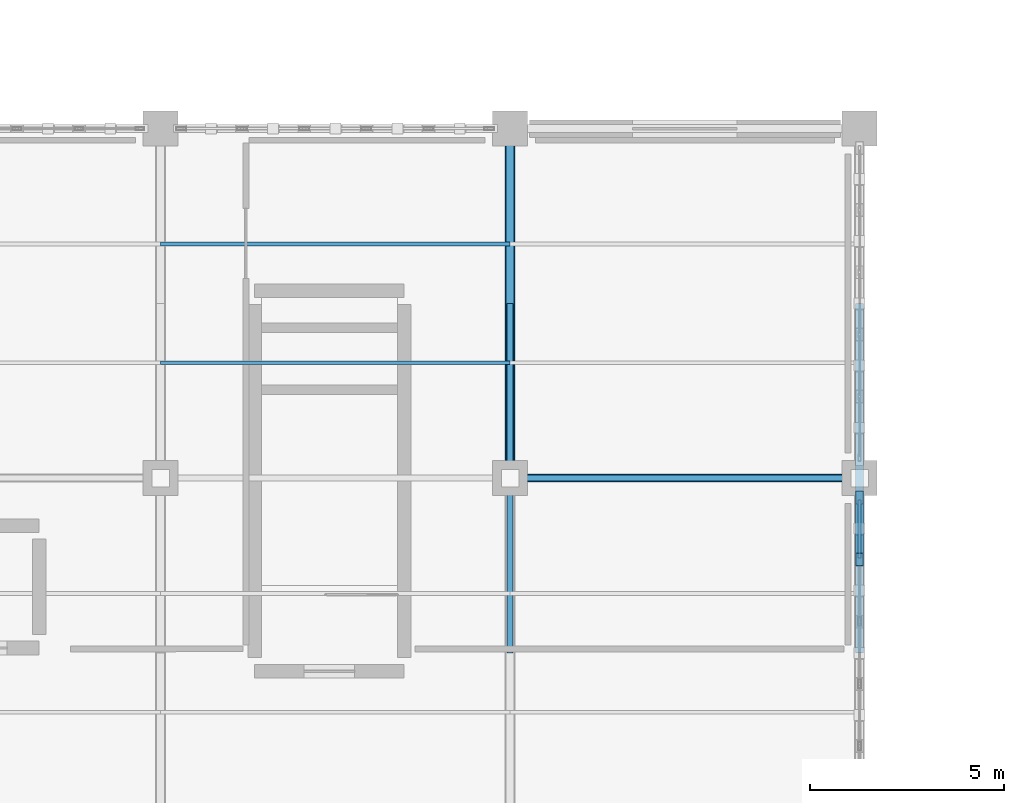
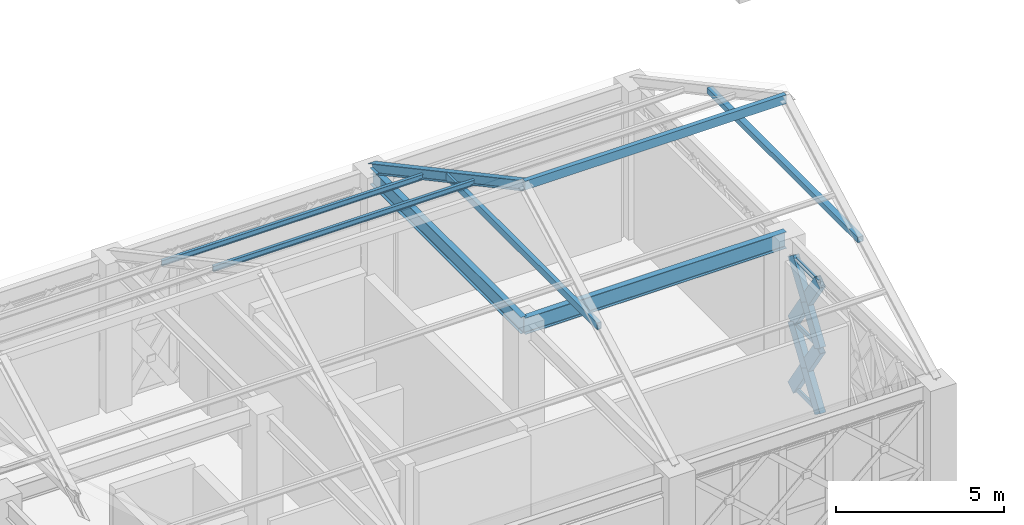
# One storey, part 65 of 166: 15 members, 2 beams, 1 element without a shape of its own.
"""IFC4 building model written with IfcOpenShell, lengths in metres."""

import ifcopenshell
import ifcopenshell.guid

model = None  # the IFC model being written
_history = None  # IfcOwnerHistory: only IFC2X3 demands one
_inside = {}  # id of a spatial element -> (the spatial element, [elements in it])
_under = {}  # id of a project, library or spatial element -> (it, [spatial elements below it])
_declared = {}  # id of a project -> (the project, [libraries it declares])
_typed = {}  # id of a type object -> (the type object, [elements of that type])
_made_of = {}  # id of a material, layer set ... -> (it, [elements and type objects made of it])


def new_model(schema):
    """Start an empty IFC model of exactly this schema.

    Asked for "IFC4X3", IfcOpenShell would pick the latest addendum, in which some entities
    have other attributes; the version numbers below select the first issue.
    IFC2X3 requires an IfcOwnerHistory on every rooted entity: one is made here for all.
    """
    global model, _history
    if schema == "IFC4X3":
        model = ifcopenshell.file(schema_version=(4, 3, 0, 0))
    else:
        model = ifcopenshell.file(schema=schema)
    _inside.clear()
    _under.clear()
    _declared.clear()
    _typed.clear()
    _made_of.clear()
    _history = None
    if model.schema == "IFC2X3":
        org = make("IfcOrganization", Name="unknown")
        user = make(
            "IfcPersonAndOrganization",
            ThePerson=make("IfcPerson", FamilyName="unknown"),
            TheOrganization=org,
        )
        app = make(
            "IfcApplication",
            ApplicationDeveloper=org,
            Version="unknown",
            ApplicationFullName="unknown",
            ApplicationIdentifier="unknown",
        )
        _history = make(
            "IfcOwnerHistory",
            OwningUser=user,
            OwningApplication=app,
            ChangeAction="ADDED",
            CreationDate=0,
        )
    return model


def make(cls, **values):
    """One entity of the class cls with the attributes given. An attribute that is None is left unset."""
    return model.create_entity(
        cls, **{name: value for name, value in values.items() if value is not None}
    )


def rooted(cls, **values):
    """An entity with a GlobalId (a new one), such as an element, a storey or a relation."""
    return make(cls, GlobalId=ifcopenshell.guid.new(), OwnerHistory=_history, **values)


def si_unit(unit_type, name, prefix=None):
    """IfcSIUnit, for example si_unit("LENGTHUNIT", "METRE", prefix="MILLI")."""
    return make("IfcSIUnit", UnitType=unit_type, Prefix=prefix, Name=name)


def assignment(units):
    """IfcUnitAssignment: the units of a project."""
    return None if units is None else make("IfcUnitAssignment", Units=units)


def point(xyz):
    """IfcCartesianPoint."""
    return None if xyz is None else make("IfcCartesianPoint", Coordinates=xyz)


def direction(xyz):
    """IfcDirection."""
    return None if xyz is None else make("IfcDirection", DirectionRatios=xyz)


def frame(location, z_axis=None, x_axis=None):
    """IfcAxis2Placement3D, a coordinate frame: its origin and axes. An axis left out is left unset."""
    return make(
        "IfcAxis2Placement3D",
        Location=point(location),
        Axis=direction(z_axis),
        RefDirection=direction(x_axis),
    )


def frame_2d(location, x_axis=None):
    """IfcAxis2Placement2D, a coordinate frame in the plane: its origin and x axis."""
    return make(
        "IfcAxis2Placement2D", Location=point(location), RefDirection=direction(x_axis)
    )


def origin():
    """The frame at (0, 0, 0) with its axes left unset."""
    return frame((0.0, 0.0, 0.0))


def origin_2d():
    """The frame at (0, 0) in the plane with its x axis left unset."""
    return frame_2d((0.0, 0.0))


def place(relative_to, where):
    """IfcLocalPlacement: puts the frame where relative to a parent placement (None: the world)."""
    return make(
        "IfcLocalPlacement", PlacementRelTo=relative_to, RelativePlacement=where
    )


def context(
    kind, dimensions, precision=None, world=None, true_north=None, identifier=None
):
    """IfcGeometricRepresentationContext, for example the 3D "Model" context."""
    return make(
        "IfcGeometricRepresentationContext",
        ContextIdentifier=identifier,
        ContextType=kind,
        CoordinateSpaceDimension=dimensions,
        Precision=precision,
        WorldCoordinateSystem=world,
        TrueNorth=true_north,
    )


def subcontext(parent, identifier, kind, view, scale=None):
    """IfcGeometricRepresentationSubContext, for example "Body" below "Model"."""
    return make(
        "IfcGeometricRepresentationSubContext",
        ContextIdentifier=identifier,
        ContextType=kind,
        ParentContext=parent,
        TargetScale=scale,
        TargetView=view,
    )


def project(units=None, contexts=None):
    """IfcProject with its units and contexts."""
    return rooted(
        "IfcProject",
        Name="project",
        RepresentationContexts=contexts,
        UnitsInContext=assignment(units),
    )


def spatial(cls, under=None, at=None, **own):
    """A site, building, storey or space (cls), placed at a placement, below another one or the project."""
    s = rooted(cls, ObjectPlacement=at, **own)
    if under is not None:
        _under.setdefault(under.id(), (under, []))[1].append(s)
    return s


def profile(cls, at=None, kind="AREA", **sizes):
    """A parametric profile (cls). Its sizes go by their IFC names, for example OverallWidth=200.0."""
    return make(cls, ProfileType=kind, Position=at, **sizes)


def hollow_rectangle(**sizes):
    """IfcRectangleHollowProfileDef."""
    return profile("IfcRectangleHollowProfileDef", **sizes)


def i_section(**sizes):
    """IfcIShapeProfileDef."""
    return profile("IfcIShapeProfileDef", **sizes)


def extrude(swept, where, along, depth):
    """IfcExtrudedAreaSolid: the profile swept, set in the frame where, extruded along a direction by depth."""
    return make(
        "IfcExtrudedAreaSolid",
        SweptArea=swept,
        Position=where,
        ExtrudedDirection=direction(along),
        Depth=depth,
    )


def shape(context_of_items, identifier, shape_type, items):
    """IfcShapeRepresentation: the items that make up one representation, for example the "Body"."""
    return make(
        "IfcShapeRepresentation",
        ContextOfItems=context_of_items,
        RepresentationIdentifier=identifier,
        RepresentationType=shape_type,
        Items=items,
    )


def material(Name=None, Category=None):
    """IfcMaterial."""
    return make("IfcMaterial", Name=Name, Category=Category)


def material_profile(
    of_material, cross_section, Name=None, Category=None, Priority=None
):
    """IfcMaterialProfile: a cross section and its material."""
    return make(
        "IfcMaterialProfile",
        Name=Name,
        Material=of_material,
        Profile=cross_section,
        Priority=Priority,
        Category=Category,
    )


def profile_set(profiles, Name=None, composite=None):
    """IfcMaterialProfileSet."""
    return make(
        "IfcMaterialProfileSet",
        Name=Name,
        MaterialProfiles=profiles,
        CompositeProfile=composite,
    )


def made_of(thing, what):
    """Note that an element or type object is made of a material, layer set ...; save() writes the relation."""
    if what is not None:
        _made_of.setdefault(what.id(), (what, []))[1].append(thing)
    return thing


def type_object(cls, material=None, **own):
    """A type object (cls), such as IfcWallType, which elements share."""
    return made_of(rooted(cls, **own), material)


def element(
    cls,
    number,
    at=None,
    inside=None,
    cuts=None,
    type_object=None,
    material=None,
    context=None,
    identifier="Body",
    shape_type=None,
    held_by="IfcProductDefinitionShape",
    body=None,
    shapes=None,
    **own,
):
    """One element of the class cls, such as IfcWall. Its Tag is "e" and its number.

    at: its placement. inside: the storey or other place that contains it. cuts: it is an
    opening in that element (IfcRelVoidsElement). A single representation is given by context,
    identifier, shape_type and body (its items); several are given by shapes. held_by: the class
    of the entity that holds the representations. save() writes the other relations.
    """
    e = rooted(cls, Tag="e%d" % number, ObjectPlacement=at, **own)
    if body is not None:
        shapes = [shape(context, identifier, shape_type, body)]
    if shapes is not None:
        e.Representation = make(held_by, Representations=shapes)
    if inside is not None:
        _inside.setdefault(inside.id(), (inside, []))[1].append(e)
    if cuts is not None:
        rooted(
            "IfcRelVoidsElement", RelatingBuildingElement=cuts, RelatedOpeningElement=e
        )
    if type_object is not None:
        _typed.setdefault(type_object.id(), (type_object, []))[1].append(e)
    return made_of(e, material)


def aggregate(whole, parts):
    """IfcRelAggregates: a whole, such as a stair, and the parts it consists of."""
    return rooted("IfcRelAggregates", RelatingObject=whole, RelatedObjects=parts)


def save(model, path):
    """Write the relations noted so far, then the file.

    IfcRelAggregates (storeys below a building ...), IfcRelContainedInSpatialStructure (elements
    in a storey), IfcRelDefinesByType, IfcRelAssociatesMaterial and IfcRelDeclares: one each for
    every whole, place, type object, material and project.
    """
    for whole, parts in _under.values():
        aggregate(whole, parts)
    for where, things in _inside.values():
        rooted(
            "IfcRelContainedInSpatialStructure",
            RelatedElements=things,
            RelatingStructure=where,
        )
    for kind, things in _typed.values():
        rooted("IfcRelDefinesByType", RelatedObjects=things, RelatingType=kind)
    for what, things in _made_of.values():
        rooted("IfcRelAssociatesMaterial", RelatedObjects=things, RelatingMaterial=what)
    for by, libraries in _declared.values():
        rooted("IfcRelDeclares", RelatingContext=by, RelatedDefinitions=libraries)
    model.write(path)


model = new_model("IFC4")

# Units and contexts
model_context = context("Model", 3, precision=1e-05, world=origin(), true_north=direction((0.0, 1.0)))
body_context = subcontext(model_context, "Body", "Model", "MODEL_VIEW")
ifc_project = project(units=[si_unit("LENGTHUNIT", "METRE"), si_unit("AREAUNIT", "SQUARE_METRE"), si_unit("VOLUMEUNIT", "CUBIC_METRE"), si_unit("PLANEANGLEUNIT", "RADIAN"), si_unit("MASSUNIT", "GRAM", prefix="KILO")], contexts=[model_context])

# Site, building, storey
site_placement = place(None, origin())
site = spatial("IfcSite", under=ifc_project, at=site_placement, CompositionType="ELEMENT")
building_placement = place(site_placement, origin())
building = spatial("IfcBuilding", under=site, at=building_placement, Name="Haizhuo Lancet Aquarium", CompositionType="ELEMENT")
storey_placement = place(building_placement, frame((0.0, 0.0, 5.39990234375)))
storey = spatial("IfcBuildingStorey", under=building, at=storey_placement, Name="L01", CompositionType="ELEMENT", Elevation=5.39990234375)

# Beams
ifc_material_1 = material(Name="Steel S355", Category="steel")
ifc_material_profile_1 = material_profile(ifc_material_1, i_section(OverallWidth=0.199951171875, OverallDepth=0.60009765625, WebThickness=0.010986328125, FlangeThickness=0.01708984375, FilletRadius=0.02197265625, at=origin_2d()), Name="HN 600x200x11x17")
ifc_profile_set_1 = profile_set([ifc_material_profile_1], Name="Steel S355")
beam_type = type_object("IfcBeamType", Name="BM-ST-HN600", PredefinedType="BEAM", material=ifc_profile_set_1)
for number, where, z_axis, x_axis, name in (
    (1, (-45.0, 18.0, 5.10009765625), (0.0, 1.0, 0.0), (-1.0, 0.0, 0.0), "L01 V2 primary girder BM-L01-V2-020"),
    (2, (-45.0, 18.0, 5.10009765625), (1.0, 0.0, 0.0), (0.0, 1.0, 0.0), "L01 V2 primary girder BM-L01-V2-021"),
):
    element("IfcBeam", number, at=place(storey_placement, frame(where, z_axis=z_axis, x_axis=x_axis)), inside=storey, type_object=beam_type, Name=name, PredefinedType="BEAM", context=body_context, shape_type="SweptSolid", body=[
        extrude(i_section(OverallWidth=0.199951171875, OverallDepth=0.60009765625, WebThickness=0.010986328125, FlangeThickness=0.01708984375, FilletRadius=0.02197265625, at=origin_2d()), origin(), (0.0, 0.0, 1.0), 9.0),
    ])

# Curtain wall, members
ifc_material_2 = material(Name="Aluminium 6063-T6", Category="aluminium")
curtain_wall_type = type_object("IfcCurtainWallType", Name="CWD-8010x4800", PredefinedType="NOTDEFINED", material=ifc_material_2)
curtain_wall_placement = place(storey_placement, origin())
curtain_wall = element("IfcCurtainWall", 3, at=curtain_wall_placement, inside=storey, type_object=curtain_wall_type, Name="L01 curtain wall CW-V2-L01-026", PredefinedType="NOTDEFINED")
ifc_material_profile_2 = material_profile(ifc_material_2, hollow_rectangle(XDim=0.074951171875, YDim=0.159912109375, WallThickness=0.00390625, at=origin_2d()), Name="ALU-T 75x160x4")
ifc_profile_set_2 = profile_set([ifc_material_profile_2], Name="Aluminium 6063-T6")
member_type_1 = type_object("IfcMemberType", Name="CW-TRN-2", PredefinedType="NOTDEFINED", material=ifc_profile_set_2)
member_1_placement = place(storey_placement, frame((-36.0, 17.429931640625, 0.0380859375), z_axis=(0.0, -1.0, 0.0), x_axis=(1.0, 0.0, 0.0)))
member_1 = element("IfcMember", 4, at=member_1_placement, type_object=member_type_1, Name="CWD-80x48 transom 1.1", ObjectType="TRANSOM", PredefinedType="USERDEFINED", context=body_context, shape_type="SweptSolid", body=[
    extrude(hollow_rectangle(XDim=0.074951171875, YDim=0.159912109375, WallThickness=0.00390625, at=origin_2d()), origin(), (0.0, 0.0, 1.0), 1.489013671875),
])
member_2_placement = place(storey_placement, frame((-36.0, 17.429931640625, 2.400146484375), z_axis=(0.0, -1.0, 0.0), x_axis=(1.0, 0.0, 0.0)))
member_2 = element("IfcMember", 5, at=member_2_placement, type_object=member_type_1, Name="CWD-80x48 transom 1.2", ObjectType="TRANSOM", PredefinedType="USERDEFINED", context=body_context, shape_type="SweptSolid", body=[
    extrude(hollow_rectangle(XDim=0.074951171875, YDim=0.159912109375, WallThickness=0.00390625, at=origin_2d()), origin(), (0.0, 0.0, 1.0), 1.489013671875),
])
member_3_placement = place(storey_placement, frame((-36.0, 17.429931640625, 4.76220703125), z_axis=(0.0, -1.0, 0.0), x_axis=(1.0, 0.0, 0.0)))
member_3 = element("IfcMember", 6, at=member_3_placement, type_object=member_type_1, Name="CWD-80x48 transom 1.3", ObjectType="TRANSOM", PredefinedType="USERDEFINED", context=body_context, shape_type="SweptSolid", body=[
    extrude(hollow_rectangle(XDim=0.074951171875, YDim=0.159912109375, WallThickness=0.00390625, at=origin_2d()), origin(), (0.0, 0.0, 1.0), 1.489013671875),
])
aggregate(curtain_wall, [member_1, member_2, member_3])

# Members
ifc_material_profile_3 = material_profile(ifc_material_1, hollow_rectangle(XDim=0.159912109375, YDim=0.320068359375, WallThickness=0.010009765625, at=origin_2d()), Name="RHS 160x320x10")
ifc_profile_set_3 = profile_set([ifc_material_profile_3], Name="Steel S355")
member_type_2 = type_object("IfcMemberType", Name="MEM-CH-RHS160x320", PredefinedType="CHORD", material=ifc_profile_set_3)
member_4_placement = place(storey_placement, frame((-45.0, 18.0, 10.216064453125), z_axis=(1.0, 0.0, 0.0), x_axis=(0.0, 1.0, 0.0)))
element("IfcMember", 7, at=member_4_placement, inside=storey, type_object=member_type_2, Name="V2 roof ridge chord 4", PredefinedType="CHORD", context=body_context, shape_type="SweptSolid", body=[
    extrude(hollow_rectangle(XDim=0.159912109375, YDim=0.320068359375, WallThickness=0.010009765625, at=origin_2d()), origin(), (0.0, 0.0, 1.0), 9.0),
])
ifc_material_profile_4 = material_profile(ifc_material_1, hollow_rectangle(XDim=0.14990234375, YDim=0.25, WallThickness=0.010009765625, at=origin_2d()), Name="RHS 150x250x10")
ifc_profile_set_4 = profile_set([ifc_material_profile_4], Name="Steel S355")
member_type_3 = type_object("IfcMemberType", Name="MEM-CL-RHS150x250", PredefinedType="COLLAR", material=ifc_profile_set_4)
member_5_placement = place(storey_placement, frame((-45.0, 13.5, 7.793212890625), z_axis=(0.0, 1.0, 0.0), x_axis=(-1.0, 0.0, 0.0)))
element("IfcMember", 8, at=member_5_placement, inside=storey, type_object=member_type_3, Name="V2 Gothic roof collar tie 4", PredefinedType="COLLAR", context=body_context, shape_type="SweptSolid", body=[
    extrude(hollow_rectangle(XDim=0.14990234375, YDim=0.25, WallThickness=0.010009765625, at=origin_2d()), origin(), (0.0, 0.0, 1.0), 9.0),
])
ifc_material_profile_5 = material_profile(ifc_material_1, hollow_rectangle(XDim=0.199951171875, YDim=0.199951171875, WallThickness=0.010009765625, at=origin_2d()), Name="SHS 200x200x10")
ifc_profile_set_5 = profile_set([ifc_material_profile_5], Name="Steel S355")
member_type_4 = type_object("IfcMemberType", Name="MEM-CL-SHS200", PredefinedType="COLLAR", material=ifc_profile_set_5)
member_6_placement = place(storey_placement, frame((-36.0, 13.5, 7.793212890625), z_axis=(0.0, 1.0, 0.0), x_axis=(-1.0, 0.0, 0.0)))
element("IfcMember", 9, at=member_6_placement, inside=storey, type_object=member_type_4, Name="V2 Gothic roof collar tie 5", PredefinedType="COLLAR", context=body_context, shape_type="SweptSolid", body=[
    extrude(hollow_rectangle(XDim=0.199951171875, YDim=0.199951171875, WallThickness=0.010009765625, at=origin_2d()), origin(), (0.0, 0.0, 1.0), 9.0),
])
ifc_material_profile_6 = material_profile(ifc_material_1, hollow_rectangle(XDim=0.199951171875, YDim=0.39990234375, WallThickness=0.011962890625, at=origin_2d()), Name="RHS 200x400x12")
ifc_profile_set_6 = profile_set([ifc_material_profile_6], Name="Steel S355")
member_type_5 = type_object("IfcMemberType", Name="MEM-LB-RHS200x400", PredefinedType="BRACE", material=ifc_profile_set_6)
member_7_placement = place(storey_placement, frame((-36.0, 17.5048828125, 0.0), z_axis=(0.0, -0.555110150089, 0.831776845835), x_axis=(1.0, 0.0, 0.0)))
element("IfcMember", 10, at=member_7_placement, inside=storey, type_object=member_type_5, Name="Gothic lancet continuous diagonal brace CW-V2-L01-026 1A", PredefinedType="BRACE", context=body_context, shape_type="SweptSolid", body=[
    extrude(hollow_rectangle(XDim=0.199951171875, YDim=0.39990234375, WallThickness=0.011962890625, at=origin_2d()), origin(), (0.0, 0.0, 1.0), 2.885498046875),
])
member_8_placement = place(storey_placement, frame((-36.0, 15.903076171875, 0.0), z_axis=(0.0, 0.555129617962, 0.831763853063), x_axis=(-1.0, 0.0, 0.0)))
element("IfcMember", 11, at=member_8_placement, inside=storey, type_object=member_type_5, Name="Gothic lancet split diagonal brace CW-V2-L01-026 1B1", PredefinedType="BRACE", context=body_context, shape_type="SweptSolid", body=[
    extrude(hollow_rectangle(XDim=0.199951171875, YDim=0.39990234375, WallThickness=0.011962890625, at=origin_2d()), origin(), (0.0, 0.0, 1.0), 1.44287109375),
])
member_9_placement = place(storey_placement, frame((-36.0, 16.7041015625, 1.2001953125), z_axis=(0.0, 0.555090677343, 0.831789841202), x_axis=(-1.0, 0.0, 0.0)))
element("IfcMember", 12, at=member_9_placement, inside=storey, type_object=member_type_5, Name="Gothic lancet split diagonal brace CW-V2-L01-026 1B2", PredefinedType="BRACE", context=body_context, shape_type="SweptSolid", body=[
    extrude(hollow_rectangle(XDim=0.199951171875, YDim=0.39990234375, WallThickness=0.011962890625, at=origin_2d()), origin(), (0.0, 0.0, 1.0), 1.442626953125),
])
member_10_placement = place(storey_placement, frame((-36.0, 17.5048828125, 2.400146484375), z_axis=(0.0, -0.555149217883, 0.831750771496), x_axis=(1.0, 0.0, 0.0)))
element("IfcMember", 13, at=member_10_placement, inside=storey, type_object=member_type_5, Name="Gothic lancet continuous diagonal brace CW-V2-L01-026 2A", PredefinedType="BRACE", context=body_context, shape_type="SweptSolid", body=[
    extrude(hollow_rectangle(XDim=0.199951171875, YDim=0.39990234375, WallThickness=0.011962890625, at=origin_2d()), origin(), (0.0, 0.0, 1.0), 2.88525390625),
])
for number, where, z_axis, x_axis, name in (
    (14, (-36.0, 15.903076171875, 2.400146484375), (0.0, 0.555207750173, 0.831711701341), (-1.0, 0.0, 0.0), "Gothic lancet split diagonal brace CW-V2-L01-026 2B1"),
    (15, (-36.0, 16.7041015625, 3.60009765625), (0.0, 0.555090677343, 0.831789841202), (-1.0, 0.0, 0.0), "Gothic lancet split diagonal brace CW-V2-L01-026 2B2"),
):
    element("IfcMember", number, at=place(storey_placement, frame(where, z_axis=z_axis, x_axis=x_axis)), inside=storey, type_object=member_type_5, Name=name, PredefinedType="BRACE", context=body_context, shape_type="SweptSolid", body=[
        extrude(hollow_rectangle(XDim=0.199951171875, YDim=0.39990234375, WallThickness=0.011962890625, at=origin_2d()), origin(), (0.0, 0.0, 1.0), 1.442626953125),
    ])
ifc_material_profile_7 = material_profile(ifc_material_1, i_section(OverallWidth=0.10009765625, OverallDepth=0.199951171875, WebThickness=0.005615234375, FlangeThickness=0.008056640625, FilletRadius=0.008056640625, at=origin_2d()), Name="HN 200x100x5.5x8")
ifc_profile_set_7 = profile_set([ifc_material_profile_7], Name="Steel S355")
member_type_6 = type_object("IfcMemberType", Name="MEM-PR-HN200", PredefinedType="PURLIN", material=ifc_profile_set_7)
for number, where, z_axis, x_axis, name in (
    (16, (-54.0, 24.030029296875, 6.859130859375), (1.0, 0.0, 0.0), (0.0, 1.0, 0.0), "V2 north roof purlin 3"),
    (17, (-54.0, 20.969970703125, 8.507080078125), (1.0, 0.0, 0.0), (0.0, 1.0, 0.0), "V2 north roof purlin 3"),
):
    element("IfcMember", number, at=place(storey_placement, frame(where, z_axis=z_axis, x_axis=x_axis)), inside=storey, type_object=member_type_6, Name=name, PredefinedType="PURLIN", context=body_context, shape_type="SweptSolid", body=[
        extrude(i_section(OverallWidth=0.10009765625, OverallDepth=0.199951171875, WebThickness=0.005615234375, FlangeThickness=0.008056640625, FilletRadius=0.008056640625, at=origin_2d()), origin(), (0.0, 0.0, 1.0), 9.0),
    ])
ifc_material_profile_8 = material_profile(ifc_material_1, i_section(OverallWidth=0.25, OverallDepth=0.340087890625, WebThickness=0.009033203125, FlangeThickness=0.013916015625, FilletRadius=0.01806640625, at=origin_2d()), Name="HM 340x250x9x14")
ifc_profile_set_8 = profile_set([ifc_material_profile_8], Name="Steel S355")
member_type_7 = type_object("IfcMemberType", Name="MEM-RF-HM340", PredefinedType="RAFTER", material=ifc_profile_set_8)
member_11_placement = place(storey_placement, frame((-45.0, 27.0, 5.3701171875), z_axis=(0.0, -0.880479536064, 0.474084155581), x_axis=(1.0, 0.0, 0.0)))
element("IfcMember", 18, at=member_11_placement, inside=storey, type_object=member_type_7, Name="V2 Gothic pitched roof north rafter 4", PredefinedType="RAFTER", context=body_context, shape_type="SweptSolid", body=[
    extrude(i_section(OverallWidth=0.25, OverallDepth=0.340087890625, WebThickness=0.009033203125, FlangeThickness=0.013916015625, FilletRadius=0.01806640625, at=origin_2d()), origin(), (0.0, 0.0, 1.0), 10.2216796875),
])

save(model, "model.ifc")
